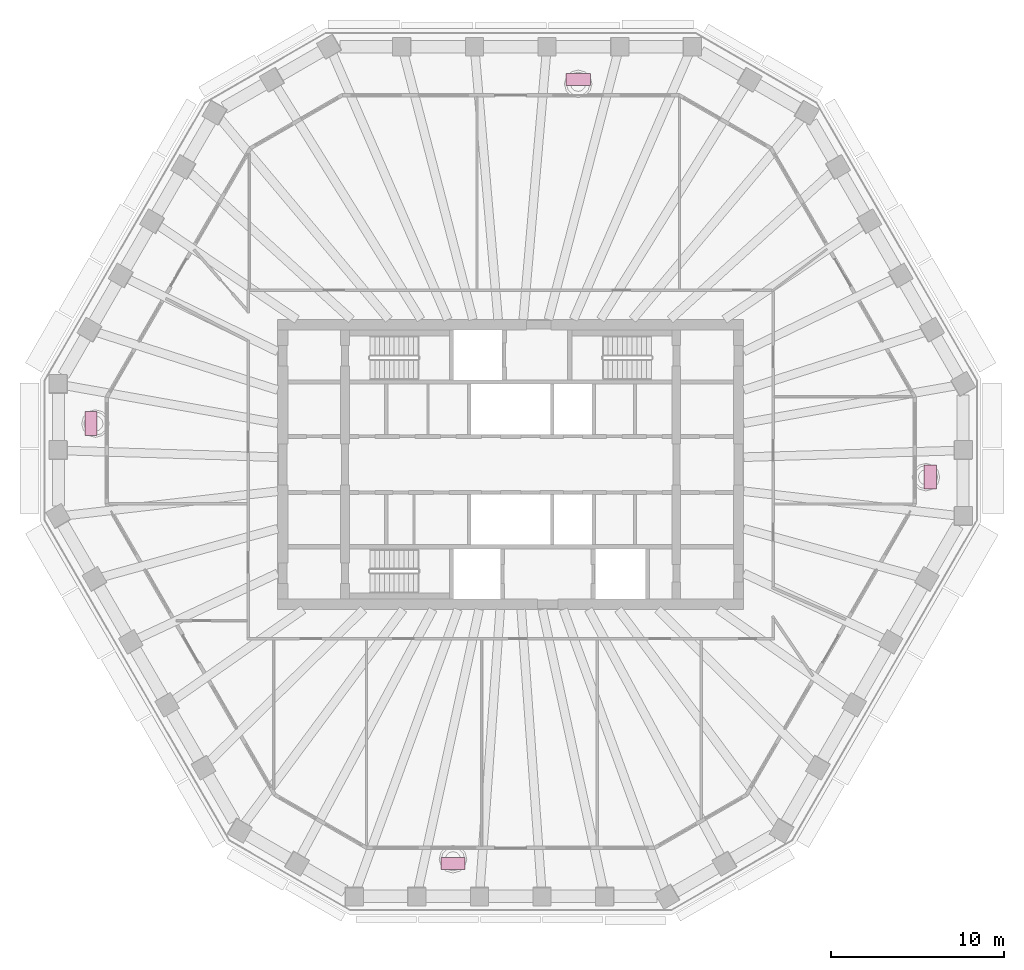
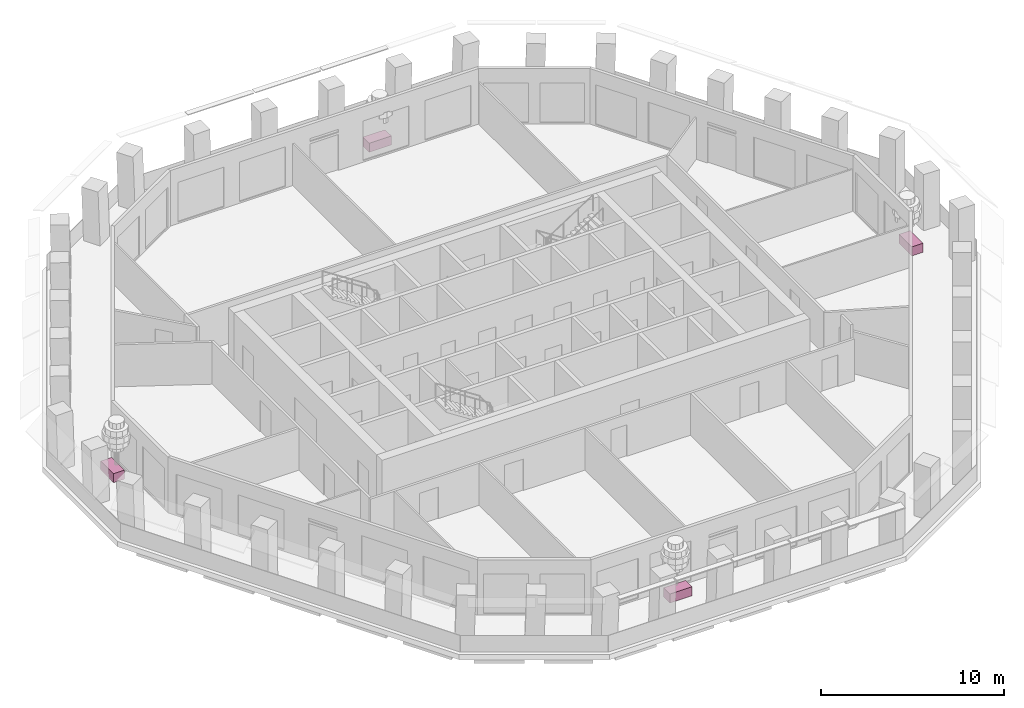
# One storey, part 11 of 12: 4 furniture elements.
"""IFC4 building model written with IfcOpenShell, lengths in metres."""

from ifc_helpers import new_model, si_unit, direction, frame, origin, origin_2d, place, context, subcontext, project, spatial, rectangle, extrude, material, type_object, element, save


model = new_model("IFC4")

# Units and contexts
model_context = context("Model", 3, precision=1e-05, world=origin(), true_north=direction((0.0, 1.0)))
body_context = subcontext(model_context, "Body", "Model", "MODEL_VIEW")
ifc_project = project(units=[si_unit("LENGTHUNIT", "METRE"), si_unit("AREAUNIT", "SQUARE_METRE"), si_unit("VOLUMEUNIT", "CUBIC_METRE"), si_unit("PLANEANGLEUNIT", "RADIAN"), si_unit("MASSUNIT", "GRAM", prefix="KILO")], contexts=[model_context])

# Site, building, storey
site_placement = place(None, origin())
site = spatial("IfcSite", under=ifc_project, at=site_placement, CompositionType="ELEMENT")
building_placement = place(site_placement, origin())
building = spatial("IfcBuilding", under=site, at=building_placement, Name="Frailejon Research Tower", CompositionType="ELEMENT")
storey_placement = place(building_placement, frame((0.0, 0.0, 237.39990234375)))
storey = spatial("IfcBuildingStorey", under=building, at=storey_placement, Name="L51", CompositionType="ELEMENT", Elevation=237.39990234375)

# Furniture
ifc_material = material(Name="Precast concrete C30/37 planter, terracotta", Category="masonry")
furniture_type = type_object("IfcFurnitureType", Name="Loggia planter 1400x700", AssemblyPlace="NOTDEFINED", PredefinedType="USERDEFINED", material=ifc_material)
for number, where, z_axis, x_axis, name in (
    (1, (24.30615234375, -0.734619140625, 0.0), (0.0, 0.0, 1.0), (0.0, 1.0, 0.0), "Planter L51"),
    (2, (3.9091796875, 22.300048828125, 0.0), (0.0, 0.0, 1.0), (-1.0, 0.0, 0.0), "Planter L51"),
    (3, (-24.30615234375, 2.36865234375, 0.0), (0.0, 0.0, 1.0), (0.0, -1.0, 0.0), "Planter L51"),
    (4, (-3.34326171875, -23.1171875, 0.0), (0.0, 0.0, 1.0), (1.0, 0.0, 0.0), "Planter L51"),
):
    element("IfcFurniture", number, at=place(storey_placement, frame(where, z_axis=z_axis, x_axis=x_axis)), inside=storey, type_object=furniture_type, Name=name, ObjectType="PLANTER", PredefinedType="USERDEFINED", context=body_context, shape_type="SweptSolid", body=[
        extrude(rectangle(XDim=1.39990234375, YDim=0.699951171875, at=origin_2d()), origin(), (0.0, 0.0, 1.0), 0.60009765625),
    ])

save(model, "model.ifc")
